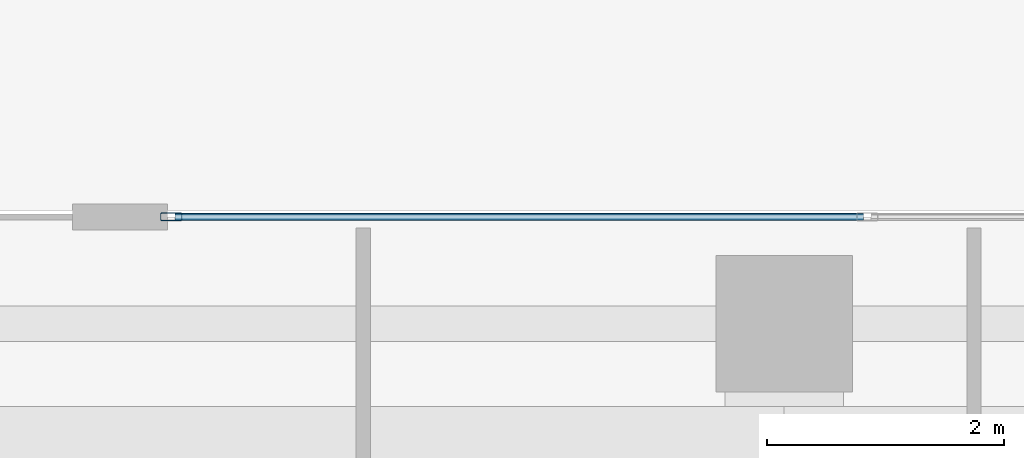
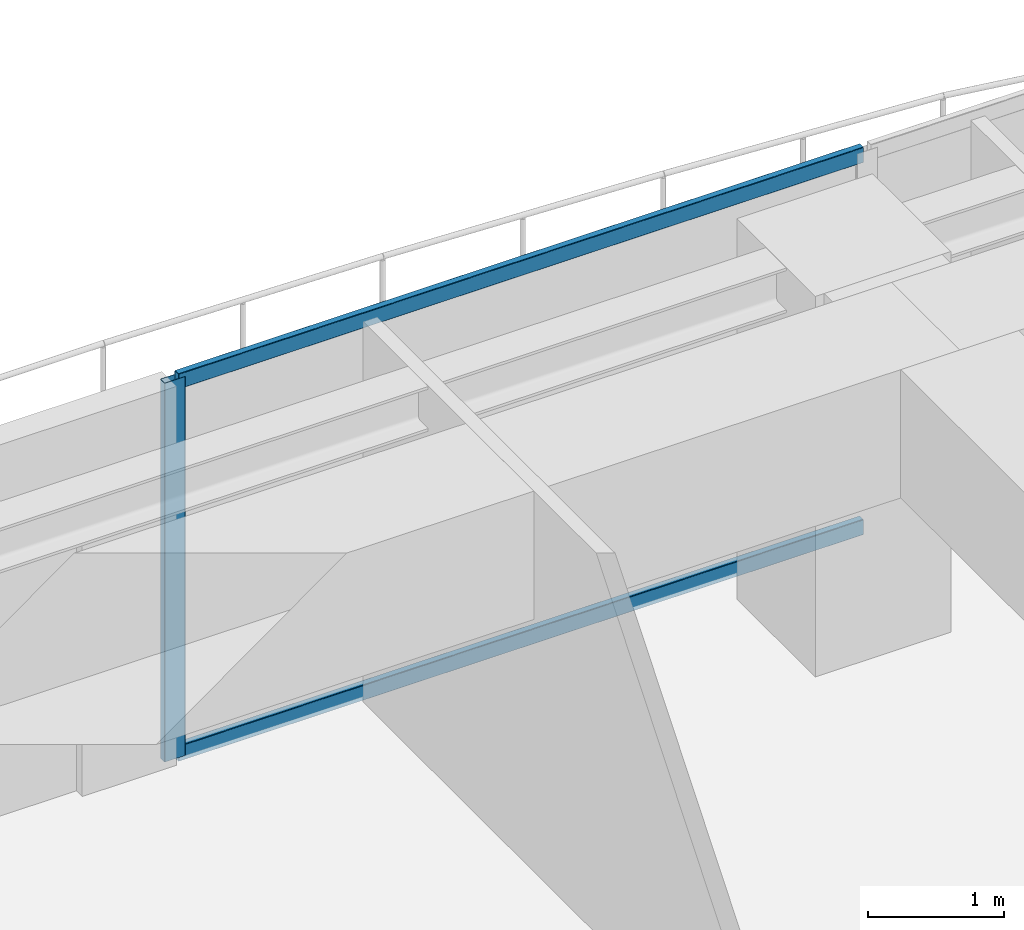
# One storey, part 23 of 39: 3 members, 1 element without a shape of its own.
"""IFC4 building model written with IfcOpenShell, lengths in metres."""

from ifc_helpers import new_model, si_unit, direction, frame, origin, origin_2d, place, context, subcontext, project, spatial, hollow_rectangle, extrude, source, transform, mapped, material, layer, layer_set, material_profile, profile_set, type_object, element, aggregate, save


model = new_model("IFC4")

# Units and contexts
model_context = context("Model", 3, precision=1e-05, world=origin(), true_north=direction((0.0, 1.0)))
body_context = subcontext(model_context, "Body", "Model", "MODEL_VIEW")
ifc_project = project(units=[si_unit("LENGTHUNIT", "METRE"), si_unit("AREAUNIT", "SQUARE_METRE"), si_unit("VOLUMEUNIT", "CUBIC_METRE"), si_unit("PLANEANGLEUNIT", "RADIAN"), si_unit("MASSUNIT", "GRAM", prefix="KILO")], contexts=[model_context])

# Site, building, storey
site_placement = place(None, origin())
site = spatial("IfcSite", under=ifc_project, at=site_placement, CompositionType="ELEMENT")
building_placement = place(site_placement, origin())
building = spatial("IfcBuilding", under=site, at=building_placement, Name="Serunith Strait Residences", CompositionType="ELEMENT")
storey_placement = place(building_placement, frame((0.0, 0.0, 283.60009765625)))
storey = spatial("IfcBuildingStorey", under=building, at=storey_placement, Name="L71", CompositionType="ELEMENT", Elevation=283.60009765625)

# Curtain wall, members
ifc_material = material(Name="Pale-Champagne Anodised Aluminium", Category="aluminium")
ifc_layer = layer(ifc_material, 0.199951171875, Name="Pale-Champagne Anodised Aluminium")
ifc_layer_set = layer_set([ifc_layer], Name="Pale-Champagne Anodised Aluminium")
curtain_wall_type = type_object("IfcCurtainWallType", Name="CW-SYS4", PredefinedType="NOTDEFINED", material=ifc_layer_set)
curtain_wall_placement = place(storey_placement, origin())
curtain_wall = element("IfcCurtainWall", 1, at=curtain_wall_placement, inside=storey, type_object=curtain_wall_type, Name="L71 N Unitised Fritted Curtain Wall", PredefinedType="NOTDEFINED")
ifc_material_profile_1 = material_profile(ifc_material, hollow_rectangle(XDim=0.06005859375, YDim=0.139892578125, WallThickness=0.00341796875, InnerFilletRadius=0.00537109375, OuterFilletRadius=0.0087890625, at=origin_2d()), Name="ALU 140x60x3.5")
ifc_profile_set_1 = profile_set([ifc_material_profile_1], Name="Pale-Champagne Anodised Aluminium")
member_type_1 = type_object("IfcMemberType", Name="CW-SYS4-TRAN", PredefinedType="USERDEFINED", material=ifc_profile_set_1)
shared_shape_1 = source(origin(), body_context, "Body", "SweptSolid", [
    extrude(hollow_rectangle(XDim=0.06005859375, YDim=0.139892578125, WallThickness=0.00341796875, InnerFilletRadius=0.00537109375, OuterFilletRadius=0.0087890625, at=origin_2d()), origin(), (0.0, 0.0, 1.0), 5.802490234375),
])
member_1_placement = place(storey_placement, frame((37.5673828125, 49.199951171875, 0.02978515625), z_axis=(-1.0, 0.0, 0.0), x_axis=(0.0, -1.0, 0.0)))
member_1 = element("IfcMember", 2, at=member_1_placement, type_object=member_type_1, Name="CW-4 transom 3.1", ObjectType="TRANSOM", PredefinedType="USERDEFINED", context=body_context, shape_type="MappedRepresentation", body=[
    mapped(shared_shape_1, transform((0.0, 0.0, 0.0), scale=1.0)),
])
member_2_placement = place(storey_placement, frame((37.5673828125, 49.199951171875, 3.364990234375), z_axis=(-1.0, 0.0, 0.0), x_axis=(0.0, -1.0, 0.0)))
member_2 = element("IfcMember", 3, at=member_2_placement, type_object=member_type_1, Name="CW-4 transom 3.2", ObjectType="TRANSOM", PredefinedType="USERDEFINED", context=body_context, shape_type="MappedRepresentation", body=[
    mapped(shared_shape_1, transform((0.0, 0.0, 0.0), scale=1.0)),
])
ifc_material_profile_2 = material_profile(ifc_material, hollow_rectangle(XDim=0.06494140625, YDim=0.179931640625, WallThickness=0.00341796875, InnerFilletRadius=0.00537109375, OuterFilletRadius=0.0087890625, at=origin_2d()), Name="ALU 180x65x3.5")
ifc_profile_set_2 = profile_set([ifc_material_profile_2], Name="Pale-Champagne Anodised Aluminium")
member_type_2 = type_object("IfcMemberType", Name="CW-SYS4-MULL", PredefinedType="MULLION", material=ifc_profile_set_2)
shared_shape_2 = source(origin(), body_context, "Body", "SweptSolid", [
    extrude(hollow_rectangle(XDim=0.06494140625, YDim=0.179931640625, WallThickness=0.00341796875, InnerFilletRadius=0.00537109375, OuterFilletRadius=0.0087890625, at=origin_2d()), origin(), (0.0, 0.0, 1.0), 3.39501953125),
])
member_3_placement = place(storey_placement, frame((31.732421875, 49.199951171875, 0.0), z_axis=(0.0, 0.0, 1.0), x_axis=(0.0, -1.0, 0.0)))
member_3 = element("IfcMember", 4, at=member_3_placement, type_object=member_type_2, Name="CW-4 mullion 4", PredefinedType="MULLION", context=body_context, shape_type="MappedRepresentation", body=[
    mapped(shared_shape_2, transform((0.0, 0.0, 0.0), scale=1.0)),
])
aggregate(curtain_wall, [member_3, member_1, member_2])

save(model, "model.ifc")
